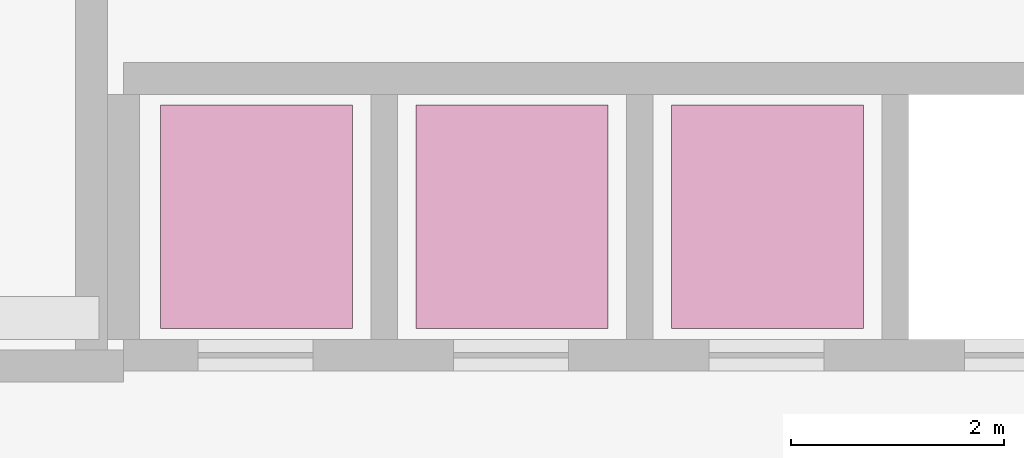
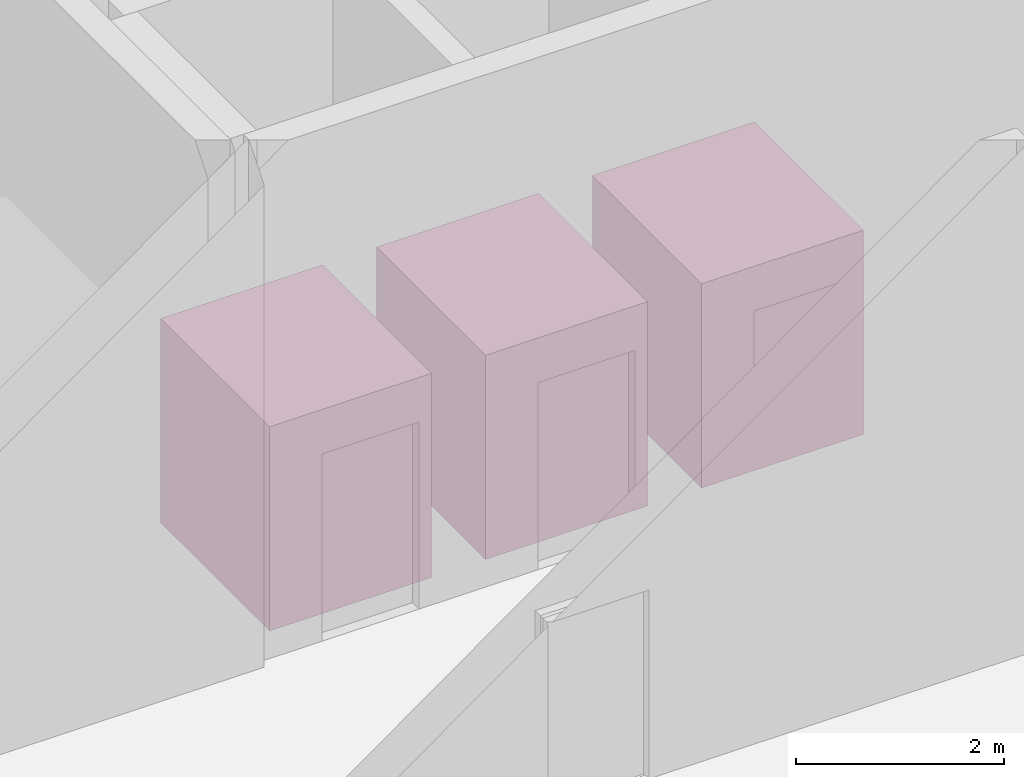
# One storey, part 51 of 51: 3 transport elements.
"""IFC4 building model written with IfcOpenShell, lengths in metres."""

from ifc_helpers import new_model, si_unit, direction, frame, origin, origin_2d, place, context, subcontext, project, spatial, rectangle, extrude, material, type_object, element, save


model = new_model("IFC4")

# Units and contexts
model_context = context("Model", 3, precision=1e-05, world=origin(), true_north=direction((0.0, 1.0)))
body_context = subcontext(model_context, "Body", "Model", "MODEL_VIEW")
ifc_project = project(units=[si_unit("LENGTHUNIT", "METRE"), si_unit("AREAUNIT", "SQUARE_METRE"), si_unit("VOLUMEUNIT", "CUBIC_METRE"), si_unit("PLANEANGLEUNIT", "RADIAN"), si_unit("MASSUNIT", "GRAM", prefix="KILO")], contexts=[model_context])

# Site, building, storey
site_placement = place(None, origin())
site = spatial("IfcSite", under=ifc_project, at=site_placement, CompositionType="ELEMENT")
building_placement = place(site_placement, origin())
building = spatial("IfcBuilding", under=site, at=building_placement, Name="Varnela Railside Interchange", CompositionType="ELEMENT")
storey_placement = place(building_placement, origin())
storey = spatial("IfcBuildingStorey", under=building, at=storey_placement, Name="L00", CompositionType="ELEMENT", Elevation=0.0)

# Transport elements
ifc_material = material(Name="Steel AR 350 (350 MPa)", Category="steel")
transport_element_type = type_object("IfcTransportElementType", Name="Operations Passenger Lift Car LF-PAX", PredefinedType="ELEVATOR", material=ifc_material)
for number, where, z_axis, x_axis, name in (
    (1, (23.5, 66.949951171875, 0.0), (0.0, 0.0, 1.0), (1.0, 0.0, 0.0), "Crew Wing Passenger Lift LP1"),
    (2, (25.89990234375, 66.949951171875, 0.0), (0.0, 0.0, 1.0), (1.0, 0.0, 0.0), "Crew Wing Passenger Lift LP2"),
    (3, (28.300048828125, 66.949951171875, 0.0), (0.0, 0.0, 1.0), (1.0, 0.0, 0.0), "Crew Wing Passenger Lift LP3"),
):
    element("IfcTransportElement", number, at=place(storey_placement, frame(where, z_axis=z_axis, x_axis=x_axis)), inside=storey, type_object=transport_element_type, Name=name, PredefinedType="ELEVATOR", context=body_context, shape_type="SweptSolid", body=[
        extrude(rectangle(XDim=1.800048828125, YDim=2.10009765625, at=origin_2d()), origin(), (0.0, 0.0, 1.0), 2.39990234375),
    ])

save(model, "model.ifc")
